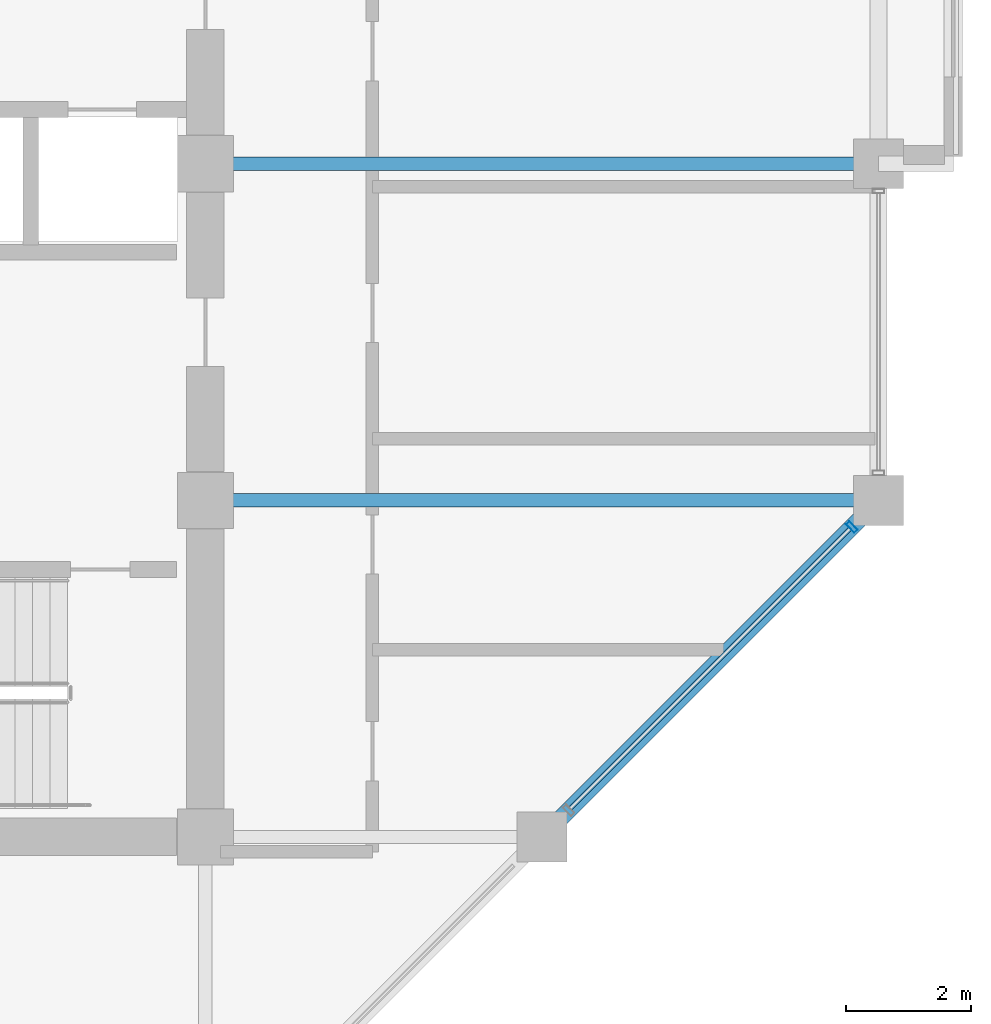
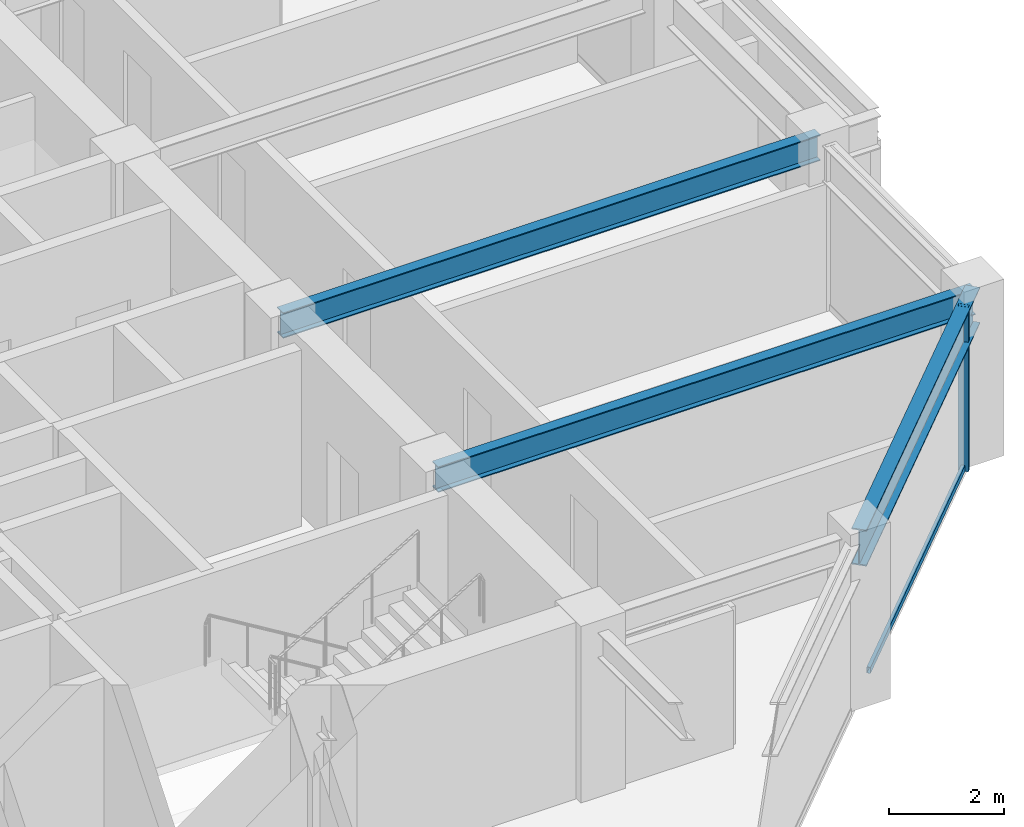
# One storey, part 10 of 28: 3 beams, 2 members, 1 element without a shape of its own.
"""IFC4 building model written with IfcOpenShell, lengths in metres."""

from ifc_helpers import new_model, si_unit, direction, frame, origin, origin_2d, place, context, subcontext, project, spatial, hollow_rectangle, i_section, extrude, material, layer, layer_set, material_profile, profile_set, type_object, element, aggregate, save


model = new_model("IFC4")

# Units and contexts
model_context = context("Model", 3, precision=1e-05, world=origin(), true_north=direction((0.0, 1.0)))
body_context = subcontext(model_context, "Body", "Model", "MODEL_VIEW")
ifc_project = project(units=[si_unit("LENGTHUNIT", "METRE"), si_unit("AREAUNIT", "SQUARE_METRE"), si_unit("VOLUMEUNIT", "CUBIC_METRE"), si_unit("PLANEANGLEUNIT", "RADIAN"), si_unit("MASSUNIT", "GRAM", prefix="KILO")], contexts=[model_context])

# Site, building, storey
site_placement = place(None, origin())
site = spatial("IfcSite", under=ifc_project, at=site_placement, CompositionType="ELEMENT")
building_placement = place(site_placement, origin())
building = spatial("IfcBuilding", under=site, at=building_placement, Name="Surkhivell Harbour Commons", CompositionType="ELEMENT")
storey_placement = place(building_placement, frame((0.0, 0.0, 246.0)))
storey = spatial("IfcBuildingStorey", under=building, at=storey_placement, Name="L64", CompositionType="ELEMENT", Elevation=246.0)

# Beams
ifc_material_1 = material(Name="Steel S355", Category="steel")
ifc_material_profile_1 = material_profile(ifc_material_1, i_section(OverallWidth=0.2119140625, OverallDepth=0.5439453125, WebThickness=0.0126953125, FlangeThickness=0.021240234375, at=origin_2d()), Name="UB533x210x122")
ifc_profile_set_1 = profile_set([ifc_material_profile_1], Name="Steel S355")
beam_type_1 = type_object("IfcBeamType", Name="BM-GRD-533A", PredefinedType="BEAM", material=ifc_profile_set_1)
for number, where, z_axis, x_axis, name in (
    (1, (10.800048828125, -5.39990234375, 3.22802734375), (1.0, 0.0, 0.0), (0.0, 1.0, 0.0), "L64 Floor Girder (10.8,-5.4)"),
    (2, (10.800048828125, 0.0, 3.22802734375), (1.0, 0.0, 0.0), (0.0, 1.0, 0.0), "L64 Floor Girder (10.8,0.0)"),
):
    element("IfcBeam", number, at=place(storey_placement, frame(where, z_axis=z_axis, x_axis=x_axis)), inside=storey, type_object=beam_type_1, Name=name, PredefinedType="BEAM", context=body_context, shape_type="SweptSolid", body=[
        extrude(i_section(OverallWidth=0.2119140625, OverallDepth=0.5439453125, WebThickness=0.0126953125, FlangeThickness=0.021240234375, at=origin_2d()), origin(), (0.0, 0.0, 1.0), 10.800048828125),
    ])
ifc_material_profile_2 = material_profile(ifc_material_1, i_section(OverallWidth=0.26806640625, OverallDepth=0.77001953125, WebThickness=0.015625, FlangeThickness=0.025390625, at=origin_2d()), Name="UB762x267x197")
ifc_profile_set_2 = profile_set([ifc_material_profile_2], Name="Steel S355")
beam_type_2 = type_object("IfcBeamType", Name="BM-SPN-762", PredefinedType="SPANDREL", material=ifc_profile_set_2)
beam_placement = place(storey_placement, frame((16.199951171875, -10.800048828125, 3.114990234375), z_axis=(0.707106781187, 0.707106781187, 0.0), x_axis=(-0.707106781187, 0.707106781187, 0.0)))
element("IfcBeam", 3, at=beam_placement, inside=storey, type_object=beam_type_2, Name="L64 Tube Spandrel (16.2,-10.8)", PredefinedType="SPANDREL", context=body_context, shape_type="SweptSolid", body=[
    extrude(i_section(OverallWidth=0.26806640625, OverallDepth=0.77001953125, WebThickness=0.015625, FlangeThickness=0.025390625, at=origin_2d()), origin(), (0.0, 0.0, 1.0), 7.636962890625),
])

# Curtain wall, members
ifc_material_2 = material(Name="Anodised pale-metal aluminium and insulated glazing", Category="aluminium")
ifc_layer = layer(ifc_material_2, 0.18994140625)
ifc_layer_set = layer_set([ifc_layer], Name="Anodised pale-metal aluminium and insulated glazing")
curtain_wall_type = type_object("IfcCurtainWallType", Name="CW-SYS-Z3", PredefinedType="NOTDEFINED", material=ifc_layer_set)
curtain_wall_placement = place(storey_placement, origin())
curtain_wall = element("IfcCurtainWall", 4, at=curtain_wall_placement, inside=storey, type_object=curtain_wall_type, Name="L64 Curtain Wall CW-L64-E01", PredefinedType="NOTDEFINED")
ifc_material_3 = material(Name="Anodised pale-metal aluminium alloy 6063-T6", Category="aluminium")
ifc_material_profile_3 = material_profile(ifc_material_3, hollow_rectangle(XDim=0.074951171875, YDim=0.18994140625, WallThickness=0.00390625, at=origin_2d()), Name="ALU-MULL-75x190")
ifc_profile_set_3 = profile_set([ifc_material_profile_3], Name="Anodised pale-metal aluminium alloy 6063-T6")
member_type_1 = type_object("IfcMemberType", Name="CWM-190", PredefinedType="MULLION", material=ifc_profile_set_3)
member_1_placement = place(storey_placement, frame((21.171875, -5.828125, 0.0), z_axis=(0.0, 0.0, 1.0), x_axis=(0.707106781187, 0.707106781187, 0.0)))
member_1 = element("IfcMember", 5, at=member_1_placement, type_object=member_type_1, Name="CW-Z3 mullion 4", PredefinedType="MULLION", context=body_context, shape_type="SweptSolid", body=[
    extrude(hollow_rectangle(XDim=0.074951171875, YDim=0.18994140625, WallThickness=0.00390625, at=origin_2d()), origin(), (0.0, 0.0, 1.0), 3.5),
])
ifc_material_4 = material(Name="Champagne anodised aluminium alloy 6063-T6", Category="aluminium")
ifc_material_profile_4 = material_profile(ifc_material_4, hollow_rectangle(XDim=0.070068359375, YDim=0.1298828125, WallThickness=0.00341796875, at=origin_2d()), Name="ALU-TRAN-70x130")
ifc_profile_set_4 = profile_set([ifc_material_profile_4], Name="Champagne anodised aluminium alloy 6063-T6")
member_type_2 = type_object("IfcMemberType", Name="CWT-130", PredefinedType="USERDEFINED", material=ifc_profile_set_4)
member_2_placement = place(storey_placement, frame((16.65478515625, -10.34521484375, 0.06494140625), z_axis=(0.707106781187, 0.707106781187, 0.0), x_axis=(-0.707106781187, 0.707106781187, 0.0)))
member_2 = element("IfcMember", 6, at=member_2_placement, type_object=member_type_2, Name="CW-Z3 transom 3.1", ObjectType="TRANSOM", PredefinedType="USERDEFINED", context=body_context, shape_type="SweptSolid", body=[
    extrude(hollow_rectangle(XDim=0.070068359375, YDim=0.1298828125, WallThickness=0.00341796875, at=origin_2d()), origin(), (0.0, 0.0, 1.0), 6.3505859375),
])
aggregate(curtain_wall, [member_1, member_2])

save(model, "model.ifc")
